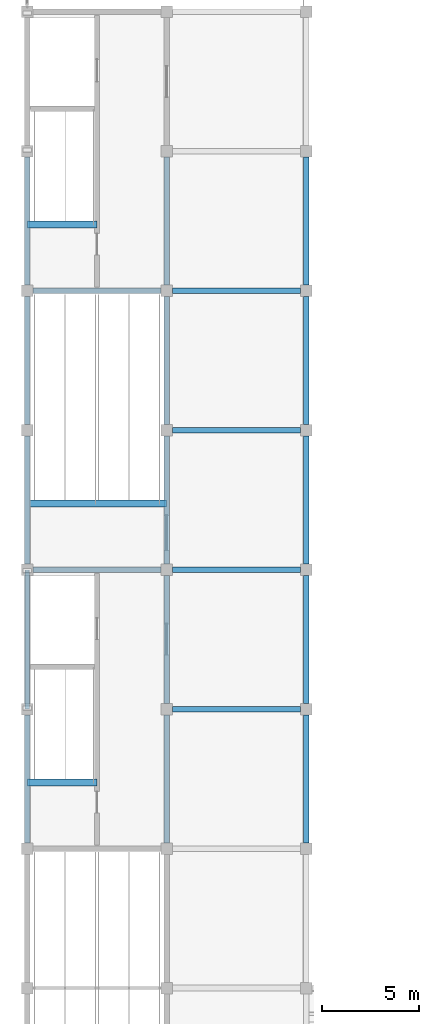
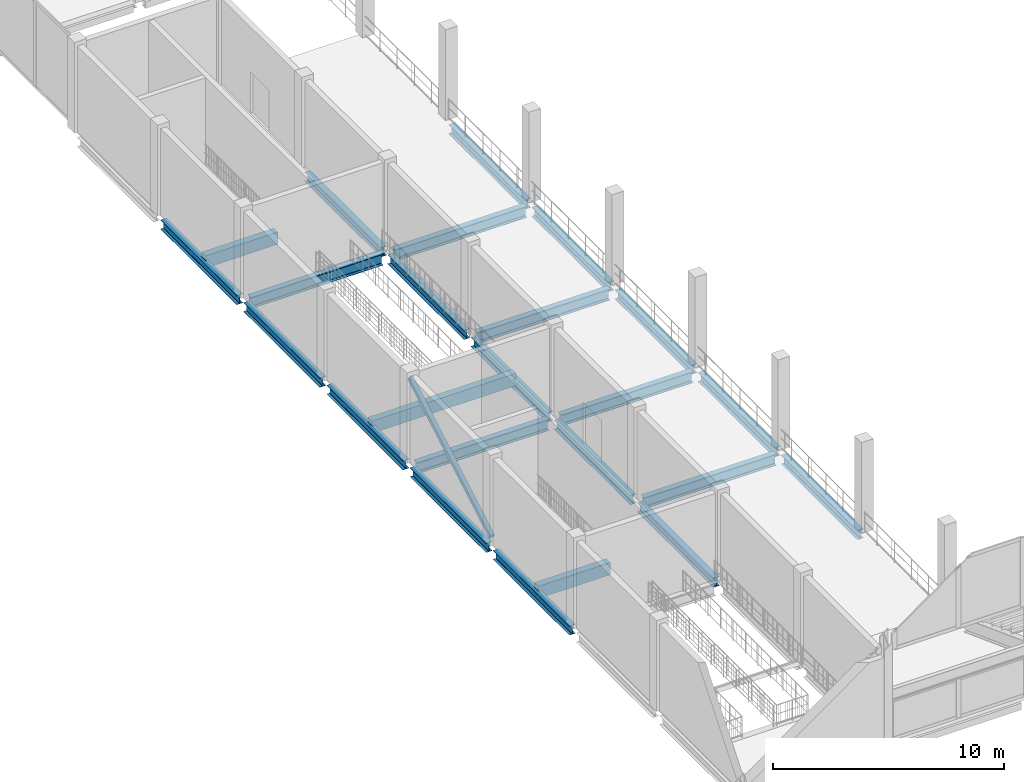
# One storey, part 25 of 120: 24 beams, 1 member.
"""IFC4 building model written with IfcOpenShell, lengths in metres."""

from ifc_helpers import new_model, si_unit, direction, frame, origin, origin_2d, place, context, subcontext, project, spatial, rectangle, hollow_rectangle, i_section, extrude, material, material_profile, profile_set, type_object, element, save


model = new_model("IFC4")

# Units and contexts
model_context = context("Model", 3, precision=1e-05, world=origin(), true_north=direction((0.0, 1.0)))
body_context = subcontext(model_context, "Body", "Model", "MODEL_VIEW")
ifc_project = project(units=[si_unit("LENGTHUNIT", "METRE"), si_unit("AREAUNIT", "SQUARE_METRE"), si_unit("VOLUMEUNIT", "CUBIC_METRE"), si_unit("PLANEANGLEUNIT", "RADIAN"), si_unit("MASSUNIT", "GRAM", prefix="KILO")], contexts=[model_context])

# Site, building, storey
site_placement = place(None, origin())
site = spatial("IfcSite", under=ifc_project, at=site_placement, CompositionType="ELEMENT")
building_placement = place(site_placement, origin())
building = spatial("IfcBuilding", under=site, at=building_placement, Name="Vesperath Aquatics Centre", CompositionType="ELEMENT")
storey_placement = place(building_placement, frame((0.0, 0.0, 10.199951171875)))
storey = spatial("IfcBuildingStorey", under=building, at=storey_placement, Name="L02", CompositionType="ELEMENT", Elevation=10.199951171875)

# Beams
ifc_material_1 = material(Name="Concrete C35", Category="concrete")
ifc_material_profile_1 = material_profile(ifc_material_1, rectangle(XDim=0.35009765625, YDim=0.64990234375, at=origin_2d()), Name="RC 350x650")
ifc_profile_set_1 = profile_set([ifc_material_profile_1], Name="Concrete C35")
beam_type_1 = type_object("IfcBeamType", Name="BM-G05", PredefinedType="BEAM", material=ifc_profile_set_1)
for number, where, z_axis, x_axis, name in (
    (1, (0.0, 32.219970703125, -0.324951171875), (1.0, 0.0, 0.0), (0.0, 1.0, 0.0), "Stair ST1 Landing Trimmer Beam B05 L02"),
    (2, (0.0, 61.02001953125, -0.324951171875), (1.0, 0.0, 0.0), (0.0, 1.0, 0.0), "Stair ST2 Landing Trimmer Beam B05 L02"),
):
    element("IfcBeam", number, at=place(storey_placement, frame(where, z_axis=z_axis, x_axis=x_axis)), inside=storey, type_object=beam_type_1, Name=name, PredefinedType="BEAM", context=body_context, shape_type="SweptSolid", body=[
        extrude(rectangle(XDim=0.35009765625, YDim=0.64990234375, at=origin_2d()), origin(), (0.0, 0.0, 1.0), 3.60009765625),
    ])
beam_placement = place(storey_placement, frame((0.0, 46.6201171875, -0.324951171875), z_axis=(1.0, 0.0, 0.0), x_axis=(0.0, 1.0, 0.0)))
element("IfcBeam", 3, at=beam_placement, inside=storey, type_object=beam_type_1, Name="Stair ST11 Landing Trimmer Beam B05 L02", PredefinedType="BEAM", context=body_context, shape_type="SweptSolid", body=[
    extrude(rectangle(XDim=0.35009765625, YDim=0.64990234375, at=origin_2d()), origin(), (0.0, 0.0, 1.0), 7.199951171875),
])
ifc_material_2 = material(Name="Steel Q355C", Category="steel")
ifc_material_profile_2 = material_profile(ifc_material_2, i_section(OverallWidth=0.300048828125, OverallDepth=0.587890625, WebThickness=0.011962890625, FlangeThickness=0.02001953125, FilletRadius=0.028076171875, at=origin_2d()), Name="HM 588x300x12x20")
ifc_profile_set_2 = profile_set([ifc_material_profile_2], Name="Steel Q355C")
beam_type_2 = type_object("IfcBeamType", Name="BM-G09", PredefinedType="BEAM", material=ifc_profile_set_2)
for number, where, z_axis, x_axis, name in (
    (4, (0.300048828125, 43.199951171875, -0.553955078125), (1.0, 0.0, 0.0), (0.0, 1.0, 0.0), "Floor Girder B09 L02 G 1-2"),
    (5, (0.300048828125, 57.60009765625, -0.553955078125), (1.0, 0.0, 0.0), (0.0, 1.0, 0.0), "Floor Girder B09 L02 J 1-2"),
):
    element("IfcBeam", number, at=place(storey_placement, frame(where, z_axis=z_axis, x_axis=x_axis)), inside=storey, type_object=beam_type_2, Name=name, PredefinedType="BEAM", context=body_context, shape_type="SweptSolid", body=[
        extrude(i_section(OverallWidth=0.300048828125, OverallDepth=0.587890625, WebThickness=0.011962890625, FlangeThickness=0.02001953125, FilletRadius=0.028076171875, at=origin_2d()), origin(), (0.0, 0.0, 1.0), 6.599853515625),
    ])
for number, where, z_axis, x_axis, name in (
    (6, (7.5, 36.0, -0.553955078125), (1.0, 0.0, 0.0), (0.0, 1.0, 0.0), "Floor Girder B09 L02 F 2-3"),
    (7, (7.5, 43.199951171875, -0.553955078125), (1.0, 0.0, 0.0), (0.0, 1.0, 0.0), "Floor Girder B09 L02 G 2-3"),
    (8, (7.5, 50.39990234375, -0.553955078125), (1.0, 0.0, 0.0), (0.0, 1.0, 0.0), "Floor Girder B09 L02 H 2-3"),
    (9, (7.5, 57.60009765625, -0.553955078125), (1.0, 0.0, 0.0), (0.0, 1.0, 0.0), "Floor Girder B09 L02 J 2-3"),
):
    element("IfcBeam", number, at=place(storey_placement, frame(where, z_axis=z_axis, x_axis=x_axis)), inside=storey, type_object=beam_type_2, Name=name, PredefinedType="BEAM", context=body_context, shape_type="SweptSolid", body=[
        extrude(i_section(OverallWidth=0.300048828125, OverallDepth=0.587890625, WebThickness=0.011962890625, FlangeThickness=0.02001953125, FilletRadius=0.028076171875, at=origin_2d()), origin(), (0.0, 0.0, 1.0), 6.60009765625),
    ])
ifc_material_profile_3 = material_profile(ifc_material_2, i_section(OverallWidth=0.300048828125, OverallDepth=0.488037109375, WebThickness=0.010986328125, FlangeThickness=0.01806640625, FilletRadius=0.02587890625, at=origin_2d()), Name="HM 488x300x11x18")
ifc_profile_set_3 = profile_set([ifc_material_profile_3], Name="Steel Q355C")
beam_type_3 = type_object("IfcBeamType", Name="BM-G10", PredefinedType="BEAM", material=ifc_profile_set_3)
for number, where, z_axis, x_axis, name in (
    (10, (0.0, 29.10009765625, -0.50390625), (0.0, 1.0, 0.0), (-1.0, 0.0, 0.0), "Floor Girder B10 L02 1 E-F"),
    (11, (0.0, 36.300048828125, -0.50390625), (0.0, 1.0, 0.0), (-1.0, 0.0, 0.0), "Floor Girder B10 L02 1 F-G"),
):
    element("IfcBeam", number, at=place(storey_placement, frame(where, z_axis=z_axis, x_axis=x_axis)), inside=storey, type_object=beam_type_3, Name=name, PredefinedType="BEAM", context=body_context, shape_type="SweptSolid", body=[
        extrude(i_section(OverallWidth=0.300048828125, OverallDepth=0.488037109375, WebThickness=0.010986328125, FlangeThickness=0.01806640625, FilletRadius=0.02587890625, at=origin_2d()), origin(), (0.0, 0.0, 1.0), 6.599853515625),
    ])
for number, where, z_axis, x_axis, name in (
    (12, (0.0, 43.5, -0.50390625), (0.0, 1.0, 0.0), (-1.0, 0.0, 0.0), "Floor Girder B10 L02 1 G-H"),
    (13, (0.0, 50.699951171875, -0.50390625), (0.0, 1.0, 0.0), (-1.0, 0.0, 0.0), "Floor Girder B10 L02 1 H-J"),
    (14, (0.0, 57.89990234375, -0.50390625), (0.0, 1.0, 0.0), (-1.0, 0.0, 0.0), "Floor Girder B10 L02 1 J-K"),
):
    element("IfcBeam", number, at=place(storey_placement, frame(where, z_axis=z_axis, x_axis=x_axis)), inside=storey, type_object=beam_type_3, Name=name, PredefinedType="BEAM", context=body_context, shape_type="SweptSolid", body=[
        extrude(i_section(OverallWidth=0.300048828125, OverallDepth=0.488037109375, WebThickness=0.010986328125, FlangeThickness=0.01806640625, FilletRadius=0.02587890625, at=origin_2d()), origin(), (0.0, 0.0, 1.0), 6.60009765625),
    ])
for number, where, z_axis, x_axis, name in (
    (15, (7.199951171875, 29.10009765625, -0.50390625), (0.0, 1.0, 0.0), (-1.0, 0.0, 0.0), "Floor Girder B10 L02 2 E-F"),
    (16, (7.199951171875, 36.300048828125, -0.50390625), (0.0, 1.0, 0.0), (-1.0, 0.0, 0.0), "Floor Girder B10 L02 2 F-G"),
):
    element("IfcBeam", number, at=place(storey_placement, frame(where, z_axis=z_axis, x_axis=x_axis)), inside=storey, type_object=beam_type_3, Name=name, PredefinedType="BEAM", context=body_context, shape_type="SweptSolid", body=[
        extrude(i_section(OverallWidth=0.300048828125, OverallDepth=0.488037109375, WebThickness=0.010986328125, FlangeThickness=0.01806640625, FilletRadius=0.02587890625, at=origin_2d()), origin(), (0.0, 0.0, 1.0), 6.599853515625),
    ])
for number, where, z_axis, x_axis, name in (
    (17, (7.199951171875, 43.5, -0.50390625), (0.0, 1.0, 0.0), (-1.0, 0.0, 0.0), "Floor Girder B10 L02 2 G-H"),
    (18, (7.199951171875, 50.699951171875, -0.50390625), (0.0, 1.0, 0.0), (-1.0, 0.0, 0.0), "Floor Girder B10 L02 2 H-J"),
    (19, (7.199951171875, 57.89990234375, -0.50390625), (0.0, 1.0, 0.0), (-1.0, 0.0, 0.0), "Floor Girder B10 L02 2 J-K"),
):
    element("IfcBeam", number, at=place(storey_placement, frame(where, z_axis=z_axis, x_axis=x_axis)), inside=storey, type_object=beam_type_3, Name=name, PredefinedType="BEAM", context=body_context, shape_type="SweptSolid", body=[
        extrude(i_section(OverallWidth=0.300048828125, OverallDepth=0.488037109375, WebThickness=0.010986328125, FlangeThickness=0.01806640625, FilletRadius=0.02587890625, at=origin_2d()), origin(), (0.0, 0.0, 1.0), 6.60009765625),
    ])
for number, where, z_axis, x_axis, name in (
    (20, (14.39990234375, 29.10009765625, -0.50390625), (0.0, 1.0, 0.0), (-1.0, 0.0, 0.0), "Floor Girder B10 L02 3 E-F"),
    (21, (14.39990234375, 36.300048828125, -0.50390625), (0.0, 1.0, 0.0), (-1.0, 0.0, 0.0), "Floor Girder B10 L02 3 F-G"),
):
    element("IfcBeam", number, at=place(storey_placement, frame(where, z_axis=z_axis, x_axis=x_axis)), inside=storey, type_object=beam_type_3, Name=name, PredefinedType="BEAM", context=body_context, shape_type="SweptSolid", body=[
        extrude(i_section(OverallWidth=0.300048828125, OverallDepth=0.488037109375, WebThickness=0.010986328125, FlangeThickness=0.01806640625, FilletRadius=0.02587890625, at=origin_2d()), origin(), (0.0, 0.0, 1.0), 6.599853515625),
    ])
for number, where, z_axis, x_axis, name in (
    (22, (14.39990234375, 43.5, -0.50390625), (0.0, 1.0, 0.0), (-1.0, 0.0, 0.0), "Floor Girder B10 L02 3 G-H"),
    (23, (14.39990234375, 50.699951171875, -0.50390625), (0.0, 1.0, 0.0), (-1.0, 0.0, 0.0), "Floor Girder B10 L02 3 H-J"),
    (24, (14.39990234375, 57.89990234375, -0.50390625), (0.0, 1.0, 0.0), (-1.0, 0.0, 0.0), "Floor Girder B10 L02 3 J-K"),
):
    element("IfcBeam", number, at=place(storey_placement, frame(where, z_axis=z_axis, x_axis=x_axis)), inside=storey, type_object=beam_type_3, Name=name, PredefinedType="BEAM", context=body_context, shape_type="SweptSolid", body=[
        extrude(i_section(OverallWidth=0.300048828125, OverallDepth=0.488037109375, WebThickness=0.010986328125, FlangeThickness=0.01806640625, FilletRadius=0.02587890625, at=origin_2d()), origin(), (0.0, 0.0, 1.0), 6.60009765625),
    ])

# Member
ifc_material_3 = material(Name="Steel Q355D", Category="steel")
ifc_material_profile_4 = material_profile(ifc_material_3, hollow_rectangle(XDim=0.219970703125, YDim=0.219970703125, WallThickness=0.010009765625, at=origin_2d()), Name="SHS 220x220x10")
ifc_profile_set_4 = profile_set([ifc_material_profile_4], Name="Steel Q355D")
member_type = type_object("IfcMemberType", Name="MB-BR02", PredefinedType="BRACE", material=ifc_profile_set_4)
member_placement = place(storey_placement, frame((0.0, 36.069091796875, 0.1904296875), z_axis=(0.0, 0.863777817794, 0.503872882269), x_axis=(-1.0, 0.0, 0.0)))
element("IfcMember", 25, at=member_placement, inside=storey, type_object=member_type, Name="Lateral Braced Frame Strut C1_W L02", PredefinedType="BRACE", context=body_context, shape_type="SweptSolid", body=[
    extrude(hollow_rectangle(XDim=0.219970703125, YDim=0.219970703125, WallThickness=0.010009765625, at=origin_2d()), origin(), (0.0, 0.0, 1.0), 8.175537109375),
])

save(model, "model.ifc")
